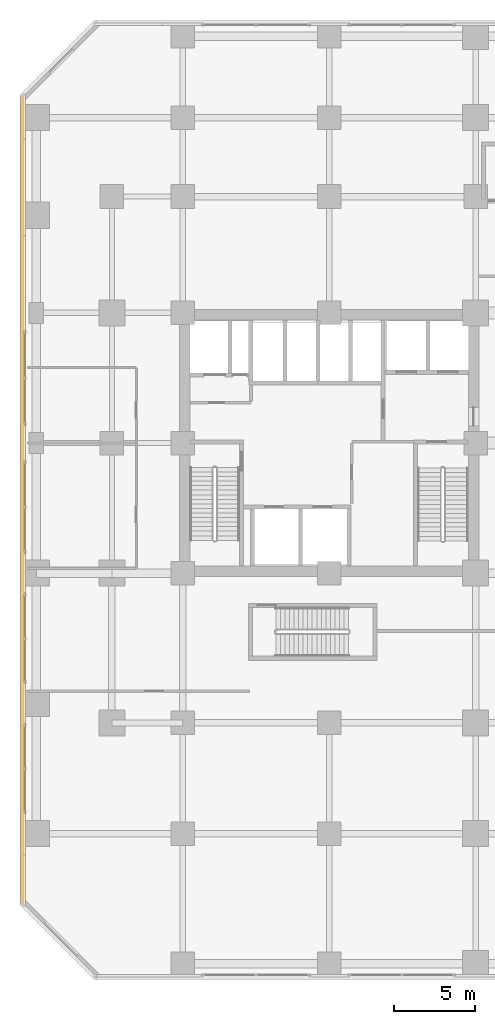
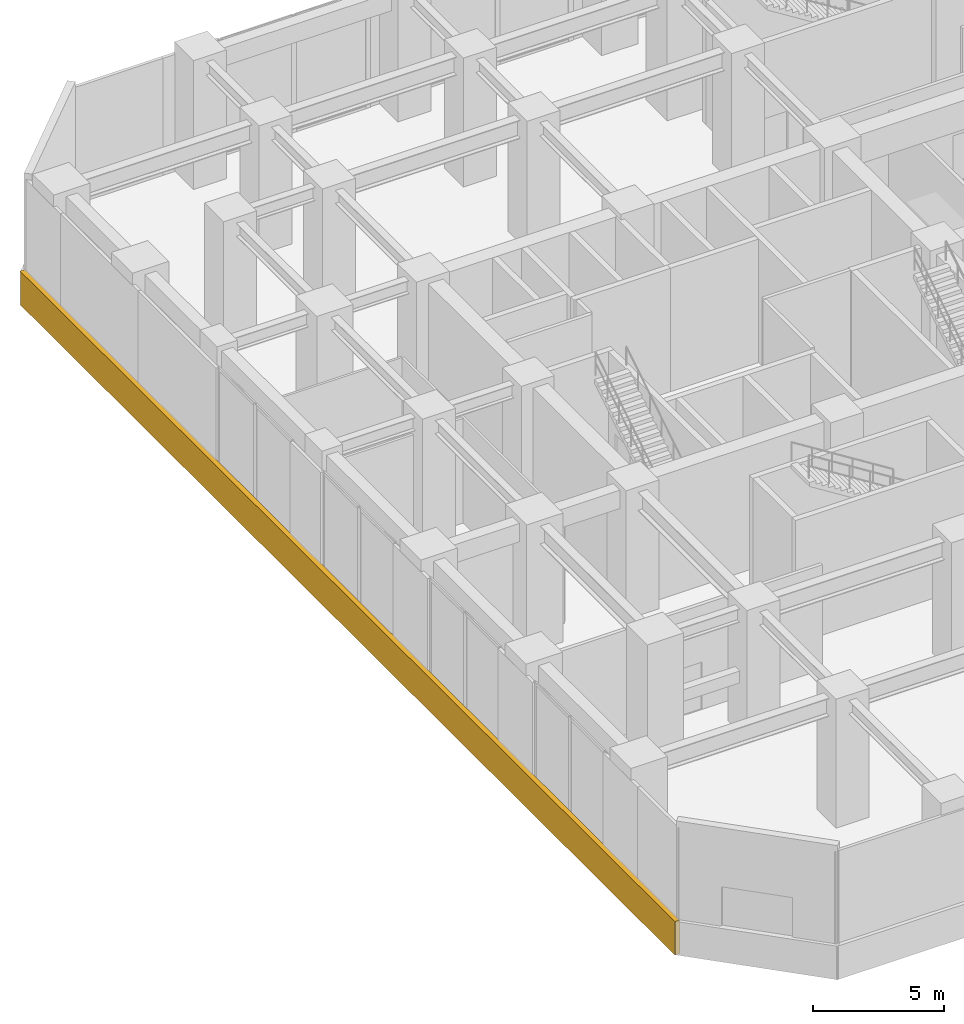
# One storey, part 29 of 34: 1 covering.
"""IFC4 building model written with IfcOpenShell, lengths in metres."""

from ifc_helpers import new_model, si_unit, direction, frame, origin, origin_2d, place, context, subcontext, project, spatial, rectangle, extrude, source, transform, mapped, material, layer, layer_set, type_object, element, save


model = new_model("IFC4")

# Units and contexts
model_context = context("Model", 3, precision=1e-05, world=origin(), true_north=direction((0.0, 1.0)))
body_context = subcontext(model_context, "Body", "Model", "MODEL_VIEW")
ifc_project = project(units=[si_unit("LENGTHUNIT", "METRE"), si_unit("AREAUNIT", "SQUARE_METRE"), si_unit("VOLUMEUNIT", "CUBIC_METRE"), si_unit("PLANEANGLEUNIT", "RADIAN"), si_unit("MASSUNIT", "GRAM", prefix="KILO")], contexts=[model_context])

# Site, building, storey
site_placement = place(None, origin())
site = spatial("IfcSite", under=ifc_project, at=site_placement, CompositionType="ELEMENT")
building_placement = place(site_placement, origin())
building = spatial("IfcBuilding", under=site, at=building_placement, Name="Torre Montelarca", CompositionType="ELEMENT")
storey_placement = place(building_placement, frame((0.0, 0.0, 6.0)))
storey = spatial("IfcBuildingStorey", under=building, at=storey_placement, Name="L02", CompositionType="ELEMENT", Elevation=6.0)

# Covering
ifc_material = material(Name="Bush-hammered warm white precast concrete C45/55", Category="concrete")
ifc_layer = layer(ifc_material, 0.139892578125, Name="Bush-hammered warm white precast concrete C45/55", Category="concrete")
ifc_layer_set = layer_set([ifc_layer], Name="Bush-hammered warm white precast concrete C45/55")
covering_type = type_object("IfcCoveringType", Name="COV-TRAY-CLAD", PredefinedType="CLADDING", material=ifc_layer_set)
shared_shape = source(origin(), body_context, "Body", "SweptSolid", [
    extrude(rectangle(XDim=49.919921875, YDim=0.219970703125, at=origin_2d()), origin(), (0.0, 0.0, 1.0), 1.56005859375),
])
covering_placement = place(storey_placement, frame((-0.8701171875, 28.5, -0.400146484375), z_axis=(0.0, 0.0, 1.0), x_axis=(0.0, -1.0, 0.0)))
element("IfcCovering", 1, at=covering_placement, inside=storey, type_object=covering_type, Name="L02 Architectural White Spandrel Tray Band PODBOT-10", PredefinedType="CLADDING", context=body_context, shape_type="MappedRepresentation", body=[
    mapped(shared_shape, transform((0.0, 0.0, 0.0), scale=1.0)),
])

save(model, "model.ifc")
